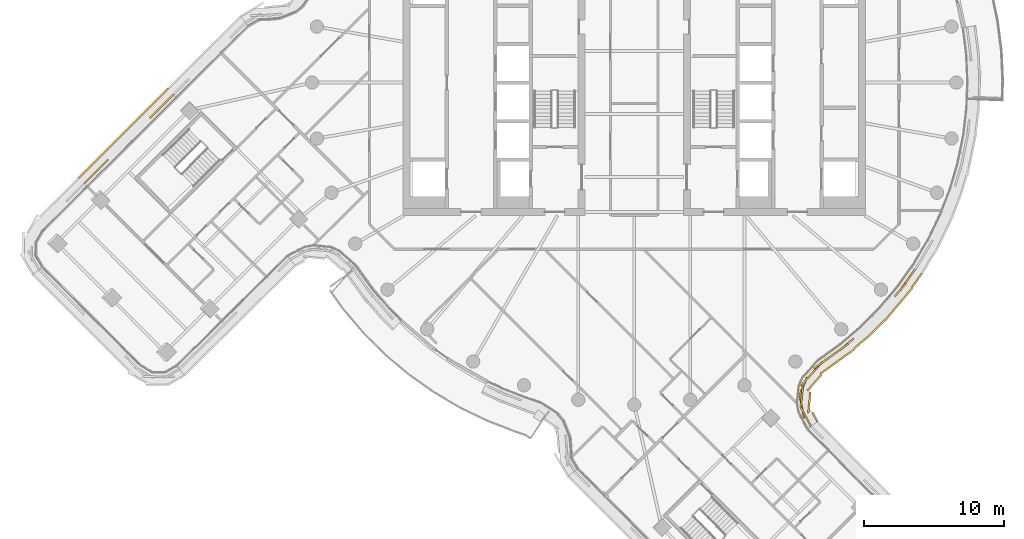
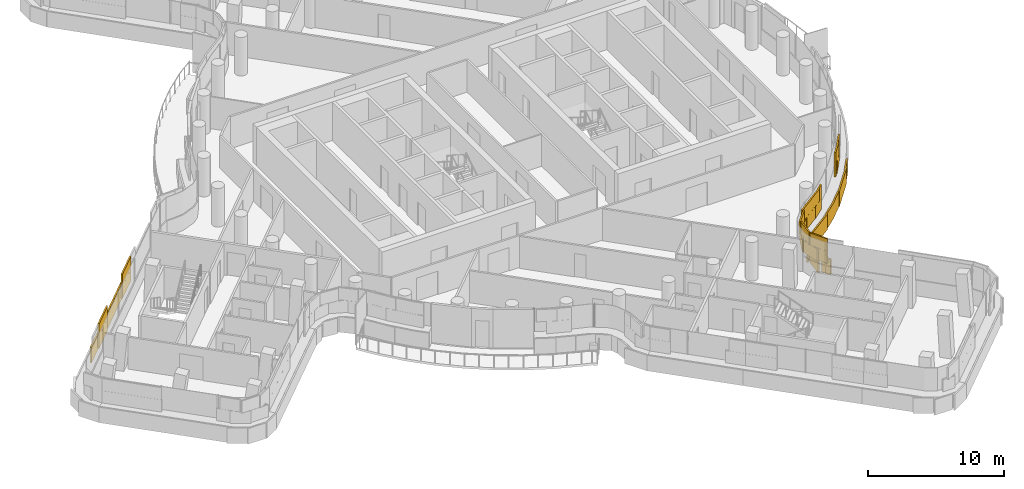
# One storey, part 26 of 31: 2 coverings.
"""IFC4 building model written with IfcOpenShell, lengths in metres."""

import ifcopenshell
import ifcopenshell.guid

model = None  # the IFC model being written
_history = None  # IfcOwnerHistory: only IFC2X3 demands one
_inside = {}  # id of a spatial element -> (the spatial element, [elements in it])
_under = {}  # id of a project, library or spatial element -> (it, [spatial elements below it])
_declared = {}  # id of a project -> (the project, [libraries it declares])
_typed = {}  # id of a type object -> (the type object, [elements of that type])
_made_of = {}  # id of a material, layer set ... -> (it, [elements and type objects made of it])


def new_model(schema):
    """Start an empty IFC model of exactly this schema.

    Asked for "IFC4X3", IfcOpenShell would pick the latest addendum, in which some entities
    have other attributes; the version numbers below select the first issue.
    IFC2X3 requires an IfcOwnerHistory on every rooted entity: one is made here for all.
    """
    global model, _history
    if schema == "IFC4X3":
        model = ifcopenshell.file(schema_version=(4, 3, 0, 0))
    else:
        model = ifcopenshell.file(schema=schema)
    _inside.clear()
    _under.clear()
    _declared.clear()
    _typed.clear()
    _made_of.clear()
    _history = None
    if model.schema == "IFC2X3":
        org = make("IfcOrganization", Name="unknown")
        user = make(
            "IfcPersonAndOrganization",
            ThePerson=make("IfcPerson", FamilyName="unknown"),
            TheOrganization=org,
        )
        app = make(
            "IfcApplication",
            ApplicationDeveloper=org,
            Version="unknown",
            ApplicationFullName="unknown",
            ApplicationIdentifier="unknown",
        )
        _history = make(
            "IfcOwnerHistory",
            OwningUser=user,
            OwningApplication=app,
            ChangeAction="ADDED",
            CreationDate=0,
        )
    return model


def make(cls, **values):
    """One entity of the class cls with the attributes given. An attribute that is None is left unset."""
    return model.create_entity(
        cls, **{name: value for name, value in values.items() if value is not None}
    )


def rooted(cls, **values):
    """An entity with a GlobalId (a new one), such as an element, a storey or a relation."""
    return make(cls, GlobalId=ifcopenshell.guid.new(), OwnerHistory=_history, **values)


def si_unit(unit_type, name, prefix=None):
    """IfcSIUnit, for example si_unit("LENGTHUNIT", "METRE", prefix="MILLI")."""
    return make("IfcSIUnit", UnitType=unit_type, Prefix=prefix, Name=name)


def assignment(units):
    """IfcUnitAssignment: the units of a project."""
    return None if units is None else make("IfcUnitAssignment", Units=units)


def point(xyz):
    """IfcCartesianPoint."""
    return None if xyz is None else make("IfcCartesianPoint", Coordinates=xyz)


def direction(xyz):
    """IfcDirection."""
    return None if xyz is None else make("IfcDirection", DirectionRatios=xyz)


def frame(location, z_axis=None, x_axis=None):
    """IfcAxis2Placement3D, a coordinate frame: its origin and axes. An axis left out is left unset."""
    return make(
        "IfcAxis2Placement3D",
        Location=point(location),
        Axis=direction(z_axis),
        RefDirection=direction(x_axis),
    )


def frame_2d(location, x_axis=None):
    """IfcAxis2Placement2D, a coordinate frame in the plane: its origin and x axis."""
    return make(
        "IfcAxis2Placement2D", Location=point(location), RefDirection=direction(x_axis)
    )


def origin():
    """The frame at (0, 0, 0) with its axes left unset."""
    return frame((0.0, 0.0, 0.0))


def origin_2d():
    """The frame at (0, 0) in the plane with its x axis left unset."""
    return frame_2d((0.0, 0.0))


def place(relative_to, where):
    """IfcLocalPlacement: puts the frame where relative to a parent placement (None: the world)."""
    return make(
        "IfcLocalPlacement", PlacementRelTo=relative_to, RelativePlacement=where
    )


def context(
    kind, dimensions, precision=None, world=None, true_north=None, identifier=None
):
    """IfcGeometricRepresentationContext, for example the 3D "Model" context."""
    return make(
        "IfcGeometricRepresentationContext",
        ContextIdentifier=identifier,
        ContextType=kind,
        CoordinateSpaceDimension=dimensions,
        Precision=precision,
        WorldCoordinateSystem=world,
        TrueNorth=true_north,
    )


def subcontext(parent, identifier, kind, view, scale=None):
    """IfcGeometricRepresentationSubContext, for example "Body" below "Model"."""
    return make(
        "IfcGeometricRepresentationSubContext",
        ContextIdentifier=identifier,
        ContextType=kind,
        ParentContext=parent,
        TargetScale=scale,
        TargetView=view,
    )


def project(units=None, contexts=None):
    """IfcProject with its units and contexts."""
    return rooted(
        "IfcProject",
        Name="project",
        RepresentationContexts=contexts,
        UnitsInContext=assignment(units),
    )


def spatial(cls, under=None, at=None, **own):
    """A site, building, storey or space (cls), placed at a placement, below another one or the project."""
    s = rooted(cls, ObjectPlacement=at, **own)
    if under is not None:
        _under.setdefault(under.id(), (under, []))[1].append(s)
    return s


def profile(cls, at=None, kind="AREA", **sizes):
    """A parametric profile (cls). Its sizes go by their IFC names, for example OverallWidth=200.0."""
    return make(cls, ProfileType=kind, Position=at, **sizes)


def rectangle(**sizes):
    """IfcRectangleProfileDef."""
    return profile("IfcRectangleProfileDef", **sizes)


def extrude(swept, where, along, depth):
    """IfcExtrudedAreaSolid: the profile swept, set in the frame where, extruded along a direction by depth."""
    return make(
        "IfcExtrudedAreaSolid",
        SweptArea=swept,
        Position=where,
        ExtrudedDirection=direction(along),
        Depth=depth,
    )


def shape(context_of_items, identifier, shape_type, items):
    """IfcShapeRepresentation: the items that make up one representation, for example the "Body"."""
    return make(
        "IfcShapeRepresentation",
        ContextOfItems=context_of_items,
        RepresentationIdentifier=identifier,
        RepresentationType=shape_type,
        Items=items,
    )


def material(Name=None, Category=None):
    """IfcMaterial."""
    return make("IfcMaterial", Name=Name, Category=Category)


def layer(
    of_material, thickness, ventilated=None, Name=None, Category=None, Priority=None
):
    """IfcMaterialLayer: one layer of a wall or slab, of a material (None: an air gap)."""
    return make(
        "IfcMaterialLayer",
        Material=of_material,
        LayerThickness=thickness,
        IsVentilated=ventilated,
        Name=Name,
        Category=Category,
        Priority=Priority,
    )


def layer_set(layers, Name=None):
    """IfcMaterialLayerSet."""
    return make("IfcMaterialLayerSet", MaterialLayers=layers, LayerSetName=Name)


def made_of(thing, what):
    """Note that an element or type object is made of a material, layer set ...; save() writes the relation."""
    if what is not None:
        _made_of.setdefault(what.id(), (what, []))[1].append(thing)
    return thing


def type_object(cls, material=None, **own):
    """A type object (cls), such as IfcWallType, which elements share."""
    return made_of(rooted(cls, **own), material)


def element(
    cls,
    number,
    at=None,
    inside=None,
    cuts=None,
    type_object=None,
    material=None,
    context=None,
    identifier="Body",
    shape_type=None,
    held_by="IfcProductDefinitionShape",
    body=None,
    shapes=None,
    **own,
):
    """One element of the class cls, such as IfcWall. Its Tag is "e" and its number.

    at: its placement. inside: the storey or other place that contains it. cuts: it is an
    opening in that element (IfcRelVoidsElement). A single representation is given by context,
    identifier, shape_type and body (its items); several are given by shapes. held_by: the class
    of the entity that holds the representations. save() writes the other relations.
    """
    e = rooted(cls, Tag="e%d" % number, ObjectPlacement=at, **own)
    if body is not None:
        shapes = [shape(context, identifier, shape_type, body)]
    if shapes is not None:
        e.Representation = make(held_by, Representations=shapes)
    if inside is not None:
        _inside.setdefault(inside.id(), (inside, []))[1].append(e)
    if cuts is not None:
        rooted(
            "IfcRelVoidsElement", RelatingBuildingElement=cuts, RelatedOpeningElement=e
        )
    if type_object is not None:
        _typed.setdefault(type_object.id(), (type_object, []))[1].append(e)
    return made_of(e, material)


def aggregate(whole, parts):
    """IfcRelAggregates: a whole, such as a stair, and the parts it consists of."""
    return rooted("IfcRelAggregates", RelatingObject=whole, RelatedObjects=parts)


def save(model, path):
    """Write the relations noted so far, then the file.

    IfcRelAggregates (storeys below a building ...), IfcRelContainedInSpatialStructure (elements
    in a storey), IfcRelDefinesByType, IfcRelAssociatesMaterial and IfcRelDeclares: one each for
    every whole, place, type object, material and project.
    """
    for whole, parts in _under.values():
        aggregate(whole, parts)
    for where, things in _inside.values():
        rooted(
            "IfcRelContainedInSpatialStructure",
            RelatedElements=things,
            RelatingStructure=where,
        )
    for kind, things in _typed.values():
        rooted("IfcRelDefinesByType", RelatedObjects=things, RelatingType=kind)
    for what, things in _made_of.values():
        rooted("IfcRelAssociatesMaterial", RelatedObjects=things, RelatingMaterial=what)
    for by, libraries in _declared.values():
        rooted("IfcRelDeclares", RelatingContext=by, RelatedDefinitions=libraries)
    model.write(path)


model = new_model("IFC4")

# Units and contexts
model_context = context("Model", 3, precision=1e-05, world=origin(), true_north=direction((0.0, 1.0)))
body_context = subcontext(model_context, "Body", "Model", "MODEL_VIEW")
ifc_project = project(units=[si_unit("LENGTHUNIT", "METRE"), si_unit("AREAUNIT", "SQUARE_METRE"), si_unit("VOLUMEUNIT", "CUBIC_METRE"), si_unit("PLANEANGLEUNIT", "RADIAN"), si_unit("MASSUNIT", "GRAM", prefix="KILO")], contexts=[model_context])

# Site, building, storey
site_placement = place(None, origin())
site = spatial("IfcSite", under=ifc_project, at=site_placement, CompositionType="ELEMENT")
building_placement = place(site_placement, origin())
building = spatial("IfcBuilding", under=site, at=building_placement, Name="Tamarind Cross Interchange Tower", CompositionType="ELEMENT")
storey_placement = place(building_placement, frame((0.0, 0.0, 196.89990234375)))
storey = spatial("IfcBuildingStorey", under=building, at=storey_placement, Name="L49", CompositionType="ELEMENT", Elevation=196.89990234375)

# Coverings
ifc_material = material(Name="Terracotta", Category="masonry")
ifc_layer = layer(ifc_material, 0.1201171875)
ifc_layer_set = layer_set([ifc_layer], Name="Terracotta")
covering_type = type_object("IfcCoveringType", Name="Terracotta baguette screen unit", PredefinedType="MOLDING", material=ifc_layer_set)
covering_1_placement = place(storey_placement, origin())
element("IfcCovering", 1, at=covering_1_placement, inside=storey, type_object=covering_type, Name="SCR-L49-02-00", PredefinedType="MOLDING", context=body_context, shape_type="SweptSolid", body=[
    extrude(rectangle(XDim=0.760009765625, YDim=0.1201171875, at=origin_2d()), frame((12.4443359375, -24.220703125, 1.404296875), z_axis=(0.0, 0.0, 1.0), x_axis=(-0.468931842788, 0.883234355548, 0.0)), (0.0, 0.0, 1.0), 1.092041015625),
    extrude(rectangle(XDim=1.52001953125, YDim=0.1201171875, at=origin_2d()), frame((11.978759765625, -23.205078125, 1.404296875), z_axis=(0.0, 0.0, 1.0), x_axis=(-0.190870071313, 0.981615309516, 0.0)), (0.0, 0.0, 1.0), 1.092041015625),
    extrude(rectangle(XDim=1.52001953125, YDim=0.1201171875, at=origin_2d()), frame((12.0546875, -21.72119140625, 1.404296875), z_axis=(0.0, 0.0, 1.0), x_axis=(0.389433748572, 0.921054480187, 0.0)), (0.0, 0.0, 1.0), 1.092041015625),
    extrude(rectangle(XDim=1.52001953125, YDim=0.1201171875, at=origin_2d()), frame((12.915283203125, -20.513671875, 1.404296875), z_axis=(0.0, 0.0, 1.0), x_axis=(0.662981274254, 0.748635979625, 0.0)), (0.0, 0.0, 1.0), 1.092041015625),
    extrude(rectangle(XDim=1.52001953125, YDim=0.1201171875, at=origin_2d()), frame((14.0458984375, -19.541259765625, 1.404296875), z_axis=(0.0, 0.0, 1.0), x_axis=(0.811294273423, 0.584638009293, 0.0)), (0.0, 0.0, 1.0), 1.092041015625),
    extrude(rectangle(XDim=1.325927734375, YDim=0.1201171875, at=origin_2d()), frame((15.16845703125, -18.693115234375, 1.404296875), z_axis=(0.0, 0.0, 1.0), x_axis=(0.760295606781, 0.64957723968, 0.0)), (0.0, 0.0, 1.0), 1.092041015625),
    extrude(rectangle(XDim=0.494140625, YDim=0.1201171875, at=origin_2d()), frame((18.757568359375, -15.0849609375, 1.404296875), z_axis=(0.0, 0.0, 1.0), x_axis=(0.643009266048, 0.765858396687, 0.0)), (0.0, 0.0, 1.0), 1.092041015625),
    extrude(rectangle(XDim=1.52001953125, YDim=0.1201171875, at=origin_2d()), frame((19.362548828125, -14.299560546875, 1.404296875), z_axis=(0.0, 0.0, 1.0), x_axis=(0.577568978284, 0.816341886298, 0.0)), (0.0, 0.0, 1.0), 1.092041015625),
    extrude(rectangle(XDim=0.44287109375, YDim=0.1201171875, at=origin_2d()), frame((19.920654296875, -13.5107421875, 1.404296875), z_axis=(0.0, 0.0, 1.0), x_axis=(0.577568978284, 0.816341886298, 0.0)), (0.0, 0.0, 1.0), 1.092041015625),
    extrude(rectangle(XDim=1.510009765625, YDim=0.1201171875, at=origin_2d()), frame((12.2685546875, -23.889404296875, 2.50390625), z_axis=(0.0, 0.0, 1.0), x_axis=(-0.468931842788, 0.883234355548, 0.0)), (0.0, 0.0, 1.0), 1.092041015625),
    extrude(rectangle(XDim=1.52001953125, YDim=0.1201171875, at=origin_2d()), frame((11.962158203125, -22.46337890625, 2.50390625), z_axis=(0.0, 0.0, 1.0), x_axis=(0.10379685446, 0.994598518501, 0.0)), (0.0, 0.0, 1.0), 1.092041015625),
    extrude(rectangle(XDim=1.52001953125, YDim=0.1201171875, at=origin_2d()), frame((12.41796875, -21.0751953125, 2.50390625), z_axis=(0.0, 0.0, 1.0), x_axis=(0.662981274254, 0.748635979625, 0.0)), (0.0, 0.0, 1.0), 1.092041015625),
    extrude(rectangle(XDim=1.52001953125, YDim=0.1201171875, at=origin_2d()), frame((13.4375, -19.979736328125, 2.50390625), z_axis=(0.0, 0.0, 1.0), x_axis=(0.811294273423, 0.584638009293, 0.0)), (0.0, 0.0, 1.0), 1.092041015625),
    extrude(rectangle(XDim=1.52001953125, YDim=0.1201171875, at=origin_2d()), frame((14.654296875, -19.102783203125, 2.50390625), z_axis=(0.0, 0.0, 1.0), x_axis=(0.811294273423, 0.584638009293, 0.0)), (0.0, 0.0, 1.0), 1.092041015625),
    extrude(rectangle(XDim=0.575927734375, YDim=0.1201171875, at=origin_2d()), frame((15.45361328125, -18.44970703125, 2.50390625), z_axis=(0.0, 0.0, 1.0), x_axis=(0.760295606781, 0.64957723968, 0.0)), (0.0, 0.0, 1.0), 1.092041015625),
    extrude(rectangle(XDim=1.244140625, YDim=0.1201171875, at=origin_2d()), frame((18.998779296875, -14.797607421875, 2.50390625), z_axis=(0.0, 0.0, 1.0), x_axis=(0.643009266048, 0.765858396687, 0.0)), (0.0, 0.0, 1.0), 1.092041015625),
    extrude(rectangle(XDim=1.19287109375, YDim=0.1201171875, at=origin_2d()), frame((19.7041015625, -13.81689453125, 2.50390625), z_axis=(0.0, 0.0, 1.0), x_axis=(0.577568978284, 0.816341886298, 0.0)), (0.0, 0.0, 1.0), 1.092041015625),
    extrude(rectangle(XDim=0.760009765625, YDim=0.1201171875, at=origin_2d()), frame((12.909423828125, -23.87255859375, 0.004150390625), z_axis=(0.0, 0.0, 1.0), x_axis=(-0.468931842788, 0.883234355548, 0.0)), (0.0, 0.0, 1.0), 1.39208984375),
    extrude(rectangle(XDim=1.52001953125, YDim=0.1201171875, at=origin_2d()), frame((12.49951171875, -22.84423828125, 0.004150390625), z_axis=(0.0, 0.0, 1.0), x_axis=(0.10379685446, 0.994598518501, 0.0)), (0.0, 0.0, 1.0), 1.39208984375),
    extrude(rectangle(XDim=1.52001953125, YDim=0.1201171875, at=origin_2d()), frame((12.87158203125, -21.4287109375, 0.004150390625), z_axis=(0.0, 0.0, 1.0), x_axis=(0.662981274254, 0.748635979625, 0.0)), (0.0, 0.0, 1.0), 1.39208984375),
    extrude(rectangle(XDim=1.52001953125, YDim=0.1201171875, at=origin_2d()), frame((13.90576171875, -20.349853515625, 0.004150390625), z_axis=(0.0, 0.0, 1.0), x_axis=(0.811294273423, 0.584638009293, 0.0)), (0.0, 0.0, 1.0), 1.39208984375),
    extrude(rectangle(XDim=1.52001953125, YDim=0.1201171875, at=origin_2d()), frame((15.122802734375, -19.472900390625, 0.004150390625), z_axis=(0.0, 0.0, 1.0), x_axis=(0.811294273423, 0.584638009293, 0.0)), (0.0, 0.0, 1.0), 1.39208984375),
    extrude(rectangle(XDim=1.52001953125, YDim=0.1201171875, at=origin_2d()), frame((16.27001953125, -18.507080078125, 0.004150390625), z_axis=(0.0, 0.0, 1.0), x_axis=(0.760295606781, 0.64957723968, 0.0)), (0.0, 0.0, 1.0), 1.39208984375),
    extrude(rectangle(XDim=1.52001953125, YDim=0.1201171875, at=origin_2d()), frame((17.36376953125, -17.482421875, 0.004150390625), z_axis=(0.0, 0.0, 1.0), x_axis=(0.704057148523, 0.710143317658, 0.0)), (0.0, 0.0, 1.0), 1.39208984375),
    extrude(rectangle(XDim=1.52001953125, YDim=0.1201171875, at=origin_2d()), frame((18.402099609375, -16.401123046875, 0.004150390625), z_axis=(0.0, 0.0, 1.0), x_axis=(0.643009266048, 0.765858396687, 0.0)), (0.0, 0.0, 1.0), 1.39208984375),
    extrude(rectangle(XDim=1.52001953125, YDim=0.1201171875, at=origin_2d()), frame((19.36669921875, -15.252197265625, 0.004150390625), z_axis=(0.0, 0.0, 1.0), x_axis=(0.643009266048, 0.765858396687, 0.0)), (0.0, 0.0, 1.0), 1.39208984375),
    extrude(rectangle(XDim=1.2353515625, YDim=0.1201171875, at=origin_2d()), frame((20.1669921875, -14.156494140625, 0.004150390625), z_axis=(0.0, 0.0, 1.0), x_axis=(0.577568978284, 0.816341886298, 0.0)), (0.0, 0.0, 1.0), 1.39208984375),
])
covering_2_placement = place(storey_placement, origin())
element("IfcCovering", 2, at=covering_2_placement, inside=storey, type_object=covering_type, Name="SCR-L49-07-01", PredefinedType="MOLDING", context=body_context, shape_type="SweptSolid", body=[
    extrude(rectangle(XDim=1.01953125, YDim=0.1201171875, at=origin_2d()), frame((-33.238525390625, -1.19580078125, 1.404296875), z_axis=(0.0, 0.0, 1.0), x_axis=(-0.708014520272, -0.706197875304, 0.0)), (0.0, 0.0, 1.0), 1.092041015625),
    extrude(rectangle(XDim=1.405517578125, YDim=0.1201171875, at=origin_2d()), frame((-34.08984375, -2.044921875, 1.404296875), z_axis=(0.0, 0.0, 1.0), x_axis=(-0.708014520272, -0.706197875304, 0.0)), (0.0, 0.0, 1.0), 1.092041015625),
    extrude(rectangle(XDim=0.41455078125, YDim=0.1201171875, at=origin_2d()), frame((-37.70068359375, -5.646484375, 1.404296875), z_axis=(0.0, 0.0, 1.0), x_axis=(-0.708014520272, -0.706197875304, 0.0)), (0.0, 0.0, 1.0), 1.092041015625),
    extrude(rectangle(XDim=1.52001953125, YDim=0.1201171875, at=origin_2d()), frame((-38.375, -6.319091796875, 1.404296875), z_axis=(0.0, 0.0, 1.0), x_axis=(-0.708014520272, -0.706197875304, 0.0)), (0.0, 0.0, 1.0), 1.092041015625),
    extrude(rectangle(XDim=0.510498046875, YDim=0.1201171875, at=origin_2d()), frame((-39.083251953125, -7.025390625, 1.404296875), z_axis=(0.0, 0.0, 1.0), x_axis=(-0.708014520272, -0.706197875304, 0.0)), (0.0, 0.0, 1.0), 1.092041015625),
    extrude(rectangle(XDim=0.26953125, YDim=0.1201171875, at=origin_2d()), frame((-32.972900390625, -0.930908203125, 2.50390625), z_axis=(0.0, 0.0, 1.0), x_axis=(-0.708014520272, -0.706197875304, 0.0)), (0.0, 0.0, 1.0), 1.092041015625),
    extrude(rectangle(XDim=1.52001953125, YDim=0.1201171875, at=origin_2d()), frame((-33.595947265625, -1.55224609375, 2.50390625), z_axis=(0.0, 0.0, 1.0), x_axis=(-0.708014520272, -0.706197875304, 0.0)), (0.0, 0.0, 1.0), 1.092041015625),
    extrude(rectangle(XDim=0.655517578125, YDim=0.1201171875, at=origin_2d()), frame((-34.35546875, -2.309814453125, 2.50390625), z_axis=(0.0, 0.0, 1.0), x_axis=(-0.708014520272, -0.706197875304, 0.0)), (0.0, 0.0, 1.0), 1.092041015625),
    extrude(rectangle(XDim=1.16455078125, YDim=0.1201171875, at=origin_2d()), frame((-37.96630859375, -5.911376953125, 2.50390625), z_axis=(0.0, 0.0, 1.0), x_axis=(-0.708014520272, -0.706197875304, 0.0)), (0.0, 0.0, 1.0), 1.092041015625),
    extrude(rectangle(XDim=1.260498046875, YDim=0.1201171875, at=origin_2d()), frame((-38.817626953125, -6.760498046875, 2.50390625), z_axis=(0.0, 0.0, 1.0), x_axis=(-0.708014520272, -0.706197875304, 0.0)), (0.0, 0.0, 1.0), 1.092041015625),
    extrude(rectangle(XDim=0.968017578125, YDim=0.1201171875, at=origin_2d()), frame((-33.6142578125, -0.759765625, 0.004150390625), z_axis=(0.0, 0.0, 1.0), x_axis=(-0.708014520272, -0.706197875304, 0.0)), (0.0, 0.0, 1.0), 1.39208984375),
    extrude(rectangle(XDim=1.52001953125, YDim=0.1201171875, at=origin_2d()), frame((-34.480712890625, -1.6240234375, 0.004150390625), z_axis=(0.0, 0.0, 1.0), x_axis=(-0.708014520272, -0.706197875304, 0.0)), (0.0, 0.0, 1.0), 1.39208984375),
    extrude(rectangle(XDim=1.52001953125, YDim=0.1201171875, at=origin_2d()), frame((-35.542724609375, -2.683349609375, 0.004150390625), z_axis=(0.0, 0.0, 1.0), x_axis=(-0.708014520272, -0.706197875304, 0.0)), (0.0, 0.0, 1.0), 1.39208984375),
    extrude(rectangle(XDim=1.52001953125, YDim=0.1201171875, at=origin_2d()), frame((-36.604736328125, -3.74267578125, 0.004150390625), z_axis=(0.0, 0.0, 1.0), x_axis=(-0.708014520272, -0.706197875304, 0.0)), (0.0, 0.0, 1.0), 1.39208984375),
    extrude(rectangle(XDim=1.52001953125, YDim=0.1201171875, at=origin_2d()), frame((-37.666748046875, -4.802001953125, 0.004150390625), z_axis=(0.0, 0.0, 1.0), x_axis=(-0.708014520272, -0.706197875304, 0.0)), (0.0, 0.0, 1.0), 1.39208984375),
    extrude(rectangle(XDim=1.52001953125, YDim=0.1201171875, at=origin_2d()), frame((-38.728759765625, -5.861328125, 0.004150390625), z_axis=(0.0, 0.0, 1.0), x_axis=(-0.708014520272, -0.706197875304, 0.0)), (0.0, 0.0, 1.0), 1.39208984375),
    extrude(rectangle(XDim=0.62646484375, YDim=0.1201171875, at=origin_2d()), frame((-39.474609375, -6.60498046875, 0.004150390625), z_axis=(0.0, 0.0, 1.0), x_axis=(-0.708014520272, -0.706197875304, 0.0)), (0.0, 0.0, 1.0), 1.39208984375),
])

save(model, "model.ifc")
